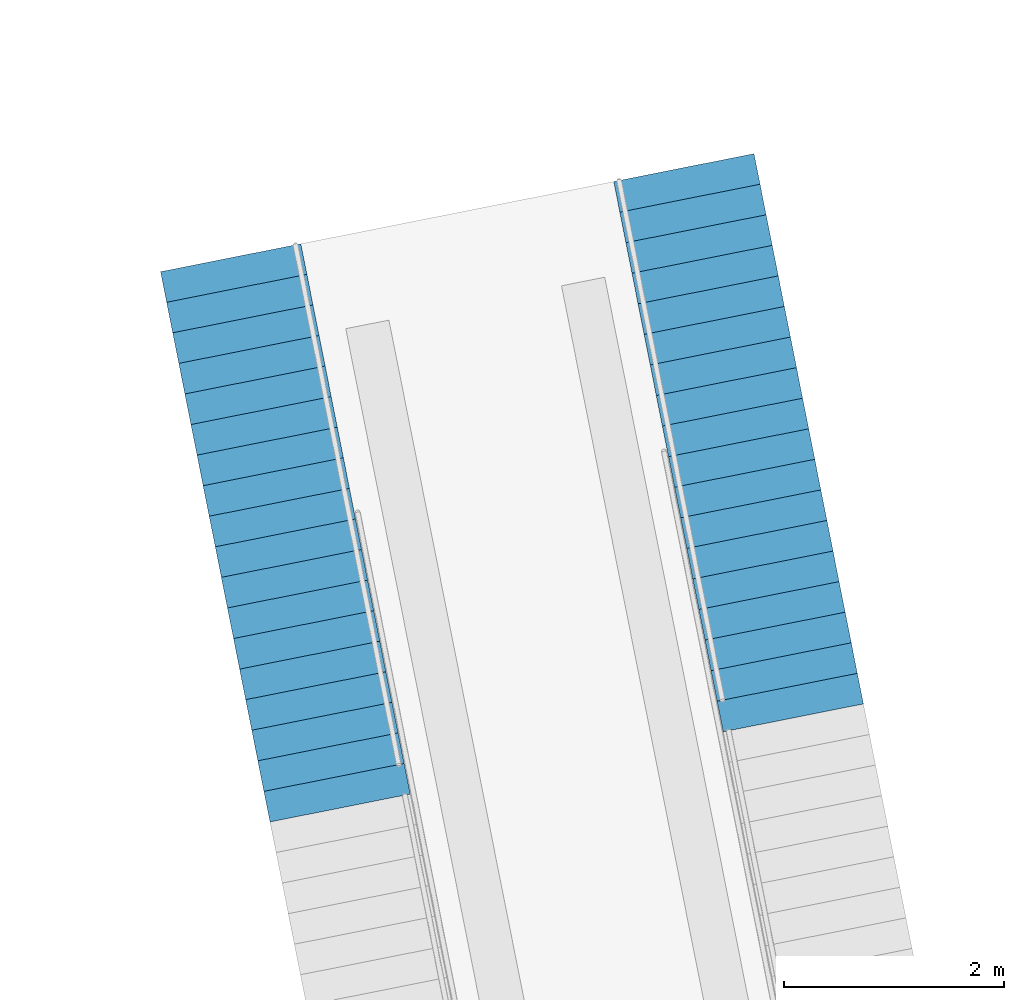
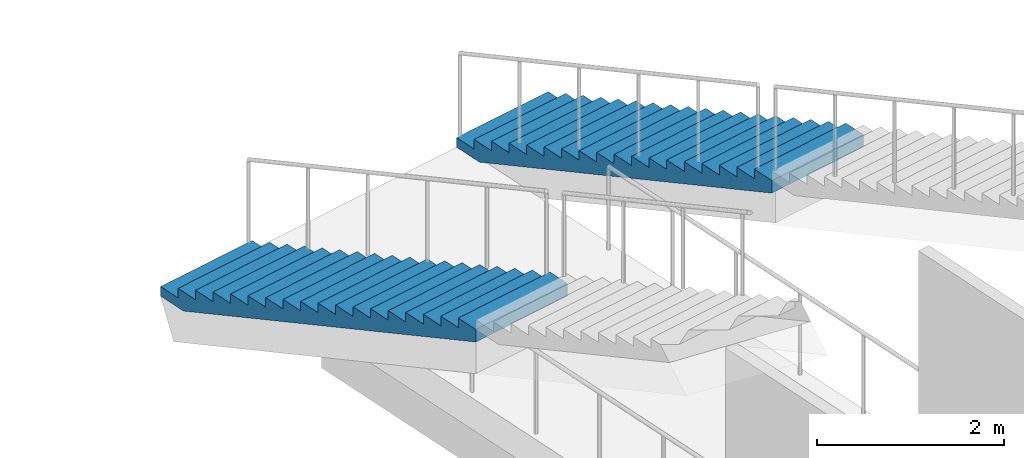
# One storey, part 75 of 175: 2 stair flights, 2 elements without a shape of their own.
"""IFC4 building model written with IfcOpenShell, lengths in metres."""

import ifcopenshell
import ifcopenshell.guid

model = None  # the IFC model being written
_history = None  # IfcOwnerHistory: only IFC2X3 demands one
_inside = {}  # id of a spatial element -> (the spatial element, [elements in it])
_under = {}  # id of a project, library or spatial element -> (it, [spatial elements below it])
_declared = {}  # id of a project -> (the project, [libraries it declares])
_typed = {}  # id of a type object -> (the type object, [elements of that type])
_made_of = {}  # id of a material, layer set ... -> (it, [elements and type objects made of it])


def new_model(schema):
    """Start an empty IFC model of exactly this schema.

    Asked for "IFC4X3", IfcOpenShell would pick the latest addendum, in which some entities
    have other attributes; the version numbers below select the first issue.
    IFC2X3 requires an IfcOwnerHistory on every rooted entity: one is made here for all.
    """
    global model, _history
    if schema == "IFC4X3":
        model = ifcopenshell.file(schema_version=(4, 3, 0, 0))
    else:
        model = ifcopenshell.file(schema=schema)
    _inside.clear()
    _under.clear()
    _declared.clear()
    _typed.clear()
    _made_of.clear()
    _history = None
    if model.schema == "IFC2X3":
        org = make("IfcOrganization", Name="unknown")
        user = make(
            "IfcPersonAndOrganization",
            ThePerson=make("IfcPerson", FamilyName="unknown"),
            TheOrganization=org,
        )
        app = make(
            "IfcApplication",
            ApplicationDeveloper=org,
            Version="unknown",
            ApplicationFullName="unknown",
            ApplicationIdentifier="unknown",
        )
        _history = make(
            "IfcOwnerHistory",
            OwningUser=user,
            OwningApplication=app,
            ChangeAction="ADDED",
            CreationDate=0,
        )
    return model


def make(cls, **values):
    """One entity of the class cls with the attributes given. An attribute that is None is left unset."""
    return model.create_entity(
        cls, **{name: value for name, value in values.items() if value is not None}
    )


def rooted(cls, **values):
    """An entity with a GlobalId (a new one), such as an element, a storey or a relation."""
    return make(cls, GlobalId=ifcopenshell.guid.new(), OwnerHistory=_history, **values)


def si_unit(unit_type, name, prefix=None):
    """IfcSIUnit, for example si_unit("LENGTHUNIT", "METRE", prefix="MILLI")."""
    return make("IfcSIUnit", UnitType=unit_type, Prefix=prefix, Name=name)


def assignment(units):
    """IfcUnitAssignment: the units of a project."""
    return None if units is None else make("IfcUnitAssignment", Units=units)


def point(xyz):
    """IfcCartesianPoint."""
    return None if xyz is None else make("IfcCartesianPoint", Coordinates=xyz)


def direction(xyz):
    """IfcDirection."""
    return None if xyz is None else make("IfcDirection", DirectionRatios=xyz)


def frame(location, z_axis=None, x_axis=None):
    """IfcAxis2Placement3D, a coordinate frame: its origin and axes. An axis left out is left unset."""
    return make(
        "IfcAxis2Placement3D",
        Location=point(location),
        Axis=direction(z_axis),
        RefDirection=direction(x_axis),
    )


def origin():
    """The frame at (0, 0, 0) with its axes left unset."""
    return frame((0.0, 0.0, 0.0))


def place(relative_to, where):
    """IfcLocalPlacement: puts the frame where relative to a parent placement (None: the world)."""
    return make(
        "IfcLocalPlacement", PlacementRelTo=relative_to, RelativePlacement=where
    )


def context(
    kind, dimensions, precision=None, world=None, true_north=None, identifier=None
):
    """IfcGeometricRepresentationContext, for example the 3D "Model" context."""
    return make(
        "IfcGeometricRepresentationContext",
        ContextIdentifier=identifier,
        ContextType=kind,
        CoordinateSpaceDimension=dimensions,
        Precision=precision,
        WorldCoordinateSystem=world,
        TrueNorth=true_north,
    )


def subcontext(parent, identifier, kind, view, scale=None):
    """IfcGeometricRepresentationSubContext, for example "Body" below "Model"."""
    return make(
        "IfcGeometricRepresentationSubContext",
        ContextIdentifier=identifier,
        ContextType=kind,
        ParentContext=parent,
        TargetScale=scale,
        TargetView=view,
    )


def project(units=None, contexts=None):
    """IfcProject with its units and contexts."""
    return rooted(
        "IfcProject",
        Name="project",
        RepresentationContexts=contexts,
        UnitsInContext=assignment(units),
    )


def spatial(cls, under=None, at=None, **own):
    """A site, building, storey or space (cls), placed at a placement, below another one or the project."""
    s = rooted(cls, ObjectPlacement=at, **own)
    if under is not None:
        _under.setdefault(under.id(), (under, []))[1].append(s)
    return s


def faces_of(points, faces, orient=None, outer=None):
    """IfcFace entities. A face is a list of loops; a loop is a list of indices into points, from 0.

    orient and outer hold one flag for each loop. By default every Orientation is true, the
    first loop of a face is its IfcFaceOuterBound and the others are IfcFaceBound.
    """
    made = []
    for i, loops in enumerate(faces):
        bounds = []
        for j, loop in enumerate(loops):
            is_outer = j == 0 if outer is None else outer[i][j]
            bounds.append(
                make(
                    "IfcFaceOuterBound" if is_outer else "IfcFaceBound",
                    Bound=make("IfcPolyLoop", Polygon=[points[k] for k in loop]),
                    Orientation=True if orient is None else orient[i][j],
                )
            )
        made.append(make("IfcFace", Bounds=bounds))
    return made


def faceted_brep(points, faces, orient=None, outer=None, voids=None):
    """IfcFacetedBrep: a solid bounded by flat faces; with voids (closed shells), ...WithVoids."""
    shared = [point(p) for p in points]
    hull = make("IfcClosedShell", CfsFaces=faces_of(shared, faces, orient, outer))
    if voids is None:
        return make("IfcFacetedBrep", Outer=hull)
    return make(
        "IfcFacetedBrepWithVoids",
        Outer=hull,
        Voids=[
            make(cls, CfsFaces=faces_of(shared, fs, o, b)) for cls, fs, o, b in voids
        ],
    )


def shape(context_of_items, identifier, shape_type, items):
    """IfcShapeRepresentation: the items that make up one representation, for example the "Body"."""
    return make(
        "IfcShapeRepresentation",
        ContextOfItems=context_of_items,
        RepresentationIdentifier=identifier,
        RepresentationType=shape_type,
        Items=items,
    )


def material(Name=None, Category=None):
    """IfcMaterial."""
    return make("IfcMaterial", Name=Name, Category=Category)


def made_of(thing, what):
    """Note that an element or type object is made of a material, layer set ...; save() writes the relation."""
    if what is not None:
        _made_of.setdefault(what.id(), (what, []))[1].append(thing)
    return thing


def type_object(cls, material=None, **own):
    """A type object (cls), such as IfcWallType, which elements share."""
    return made_of(rooted(cls, **own), material)


def element(
    cls,
    number,
    at=None,
    inside=None,
    cuts=None,
    type_object=None,
    material=None,
    context=None,
    identifier="Body",
    shape_type=None,
    held_by="IfcProductDefinitionShape",
    body=None,
    shapes=None,
    **own,
):
    """One element of the class cls, such as IfcWall. Its Tag is "e" and its number.

    at: its placement. inside: the storey or other place that contains it. cuts: it is an
    opening in that element (IfcRelVoidsElement). A single representation is given by context,
    identifier, shape_type and body (its items); several are given by shapes. held_by: the class
    of the entity that holds the representations. save() writes the other relations.
    """
    e = rooted(cls, Tag="e%d" % number, ObjectPlacement=at, **own)
    if body is not None:
        shapes = [shape(context, identifier, shape_type, body)]
    if shapes is not None:
        e.Representation = make(held_by, Representations=shapes)
    if inside is not None:
        _inside.setdefault(inside.id(), (inside, []))[1].append(e)
    if cuts is not None:
        rooted(
            "IfcRelVoidsElement", RelatingBuildingElement=cuts, RelatedOpeningElement=e
        )
    if type_object is not None:
        _typed.setdefault(type_object.id(), (type_object, []))[1].append(e)
    return made_of(e, material)


def aggregate(whole, parts):
    """IfcRelAggregates: a whole, such as a stair, and the parts it consists of."""
    return rooted("IfcRelAggregates", RelatingObject=whole, RelatedObjects=parts)


def save(model, path):
    """Write the relations noted so far, then the file.

    IfcRelAggregates (storeys below a building ...), IfcRelContainedInSpatialStructure (elements
    in a storey), IfcRelDefinesByType, IfcRelAssociatesMaterial and IfcRelDeclares: one each for
    every whole, place, type object, material and project.
    """
    for whole, parts in _under.values():
        aggregate(whole, parts)
    for where, things in _inside.values():
        rooted(
            "IfcRelContainedInSpatialStructure",
            RelatedElements=things,
            RelatingStructure=where,
        )
    for kind, things in _typed.values():
        rooted("IfcRelDefinesByType", RelatedObjects=things, RelatingType=kind)
    for what, things in _made_of.values():
        rooted("IfcRelAssociatesMaterial", RelatedObjects=things, RelatingMaterial=what)
    for by, libraries in _declared.values():
        rooted("IfcRelDeclares", RelatingContext=by, RelatedDefinitions=libraries)
    model.write(path)


model = new_model("IFC4")

# Units and contexts
model_context = context("Model", 3, precision=1e-05, world=origin(), true_north=direction((0.0, 1.0)))
body_context = subcontext(model_context, "Body", "Model", "MODEL_VIEW")
ifc_project = project(units=[si_unit("LENGTHUNIT", "METRE"), si_unit("AREAUNIT", "SQUARE_METRE"), si_unit("VOLUMEUNIT", "CUBIC_METRE"), si_unit("PLANEANGLEUNIT", "RADIAN"), si_unit("MASSUNIT", "GRAM", prefix="KILO")], contexts=[model_context])

# Site, building, storey
site_placement = place(None, origin())
site = spatial("IfcSite", under=ifc_project, at=site_placement, CompositionType="ELEMENT")
building_placement = place(site_placement, origin())
building = spatial("IfcBuilding", under=site, at=building_placement, Name="Ogive Plaza Stadium", CompositionType="ELEMENT")
storey_placement = place(building_placement, origin())
storey = spatial("IfcBuildingStorey", under=building, at=storey_placement, Name="L00", CompositionType="ELEMENT", Elevation=0.0)

# Stair, stair flight
ifc_material_1 = material(Name="Concrete C40/50", Category="concrete")
stair_type = type_object("IfcStairType", Name="Aisle stair", PredefinedType="STRAIGHT_RUN_STAIR", material=ifc_material_1)
stair_1_placement = place(storey_placement, origin())
stair_1 = element("IfcStair", 1, at=stair_1_placement, inside=storey, type_object=stair_type, Name="Aisle stair SA11L", PredefinedType="STRAIGHT_RUN_STAIR")
ifc_material_2 = material(Name="Concrete C40/50", Category="concrete")
stair_flight_type = type_object("IfcStairFlightType", Name="Aisle stair flight", PredefinedType="STRAIGHT", material=ifc_material_2)
stair_flight_1_placement = place(storey_placement, frame((34.89599609375, -67.7685546875, 0.0), z_axis=(0.0, 0.0, 1.0), x_axis=(0.195090322016, -0.980785280403, 0.0)))
stair_flight_1 = element("IfcStairFlight", 2, at=stair_flight_1_placement, type_object=stair_flight_type, Name="SA11L flight 1", NumberOfRisers=18, NumberOfTreads=17, PredefinedType="STRAIGHT", RiserHeight=0.125, TreadLength=0.283333333, context=body_context, shape_type="Brep", body=[
    faceted_brep([(0.371337890625, -0.64990234375, 0.0), (5.10009765625, -0.64990234375, 2.086181640625), (5.10009765625, -0.64990234375, 2.25), (4.816650390625, -0.64990234375, 2.25), (4.816650390625, -0.64990234375, 2.125), (4.533447265625, -0.64990234375, 2.125), (4.533447265625, -0.64990234375, 2.0), (4.25, -0.64990234375, 2.0), (4.25, -0.64990234375, 1.875), (3.966552734375, -0.64990234375, 1.875), (3.966552734375, -0.64990234375, 1.75), (3.683349609375, -0.64990234375, 1.75), (3.683349609375, -0.64990234375, 1.625), (3.39990234375, -0.64990234375, 1.625), (3.39990234375, -0.64990234375, 1.5), (3.11669921875, -0.64990234375, 1.5), (3.11669921875, -0.64990234375, 1.375), (2.833251953125, -0.64990234375, 1.375), (2.833251953125, -0.64990234375, 1.25), (2.550048828125, -0.64990234375, 1.25), (2.550048828125, -0.64990234375, 1.125), (2.2666015625, -0.64990234375, 1.125), (2.2666015625, -0.64990234375, 1.0), (1.9833984375, -0.64990234375, 1.0), (1.9833984375, -0.64990234375, 0.875), (1.699951171875, -0.64990234375, 0.875), (1.699951171875, -0.64990234375, 0.75), (1.416748046875, -0.64990234375, 0.75), (1.416748046875, -0.64990234375, 0.625), (1.13330078125, -0.64990234375, 0.625), (1.13330078125, -0.64990234375, 0.5), (0.85009765625, -0.64990234375, 0.5), (0.85009765625, -0.64990234375, 0.375), (0.566650390625, -0.64990234375, 0.375), (0.566650390625, -0.64990234375, 0.25), (0.283447265625, -0.64990234375, 0.25), (0.283447265625, -0.64990234375, 0.125), (0.0, -0.64990234375, 0.125), (0.0, -0.64990234375, 0.0), (0.0, 0.64990234375, 0.0), (0.0, 0.64990234375, 0.125), (0.283447265625, 0.64990234375, 0.125), (0.283447265625, 0.64990234375, 0.25), (0.566650390625, 0.64990234375, 0.25), (0.566650390625, 0.64990234375, 0.375), (0.85009765625, 0.64990234375, 0.375), (0.85009765625, 0.64990234375, 0.5), (1.13330078125, 0.64990234375, 0.5), (1.13330078125, 0.64990234375, 0.625), (1.416748046875, 0.64990234375, 0.625), (1.416748046875, 0.64990234375, 0.75), (1.699951171875, 0.64990234375, 0.75), (1.699951171875, 0.64990234375, 0.875), (1.9833984375, 0.64990234375, 0.875), (1.9833984375, 0.64990234375, 1.0), (2.2666015625, 0.64990234375, 1.0), (2.2666015625, 0.64990234375, 1.125), (2.550048828125, 0.64990234375, 1.125), (2.550048828125, 0.64990234375, 1.25), (2.833251953125, 0.64990234375, 1.25), (2.833251953125, 0.64990234375, 1.375), (3.11669921875, 0.64990234375, 1.375), (3.11669921875, 0.64990234375, 1.5), (3.39990234375, 0.64990234375, 1.5), (3.39990234375, 0.64990234375, 1.625), (3.683349609375, 0.64990234375, 1.625), (3.683349609375, 0.64990234375, 1.75), (3.966552734375, 0.64990234375, 1.75), (3.966552734375, 0.64990234375, 1.875), (4.25, 0.64990234375, 1.875), (4.25, 0.64990234375, 2.0), (4.533447265625, 0.64990234375, 2.0), (4.533447265625, 0.64990234375, 2.125), (4.816650390625, 0.64990234375, 2.125), (4.816650390625, 0.64990234375, 2.25), (5.10009765625, 0.64990234375, 2.25), (5.10009765625, 0.64990234375, 2.086181640625), (0.371337890625, 0.64990234375, 0.0), (0.371337890625, -0.324951171875, 0.0), (5.10009765625, -0.324951171875, 2.086181640625), (0.371337890625, 0.0, 0.0), (5.10009765625, 0.0, 2.086181640625), (0.371337890625, 0.324951171875, 0.0), (5.10009765625, 0.324951171875, 2.086181640625), (5.10009765625, -0.324951171875, 2.25), (5.10009765625, 0.0, 2.25), (5.10009765625, 0.324951171875, 2.25), (4.816650390625, -0.324951171875, 2.25), (4.816650390625, 0.0, 2.25), (4.816650390625, 0.324951171875, 2.25), (4.816650390625, -0.324951171875, 2.125), (4.816650390625, 0.0, 2.125), (4.816650390625, 0.324951171875, 2.125), (4.533447265625, -0.324951171875, 2.125), (4.533447265625, 0.0, 2.125), (4.533447265625, 0.324951171875, 2.125), (4.533447265625, -0.324951171875, 2.0), (4.533447265625, 0.0, 2.0), (4.533447265625, 0.324951171875, 2.0), (4.25, -0.324951171875, 2.0), (4.25, 0.0, 2.0), (4.25, 0.324951171875, 2.0), (4.25, -0.324951171875, 1.875), (4.25, 0.0, 1.875), (4.25, 0.324951171875, 1.875), (3.966552734375, -0.324951171875, 1.875), (3.966552734375, 0.0, 1.875), (3.966552734375, 0.324951171875, 1.875), (3.966552734375, -0.324951171875, 1.75), (3.966552734375, 0.0, 1.75), (3.966552734375, 0.324951171875, 1.75), (3.683349609375, -0.324951171875, 1.75), (3.683349609375, 0.0, 1.75), (3.683349609375, 0.324951171875, 1.75), (3.683349609375, -0.324951171875, 1.625), (3.683349609375, 0.0, 1.625), (3.683349609375, 0.324951171875, 1.625), (3.39990234375, -0.324951171875, 1.625), (3.39990234375, 0.0, 1.625), (3.39990234375, 0.324951171875, 1.625), (3.39990234375, -0.324951171875, 1.5), (3.39990234375, 0.0, 1.5), (3.39990234375, 0.324951171875, 1.5), (3.11669921875, -0.324951171875, 1.5), (3.11669921875, 0.0, 1.5), (3.11669921875, 0.324951171875, 1.5), (3.11669921875, -0.324951171875, 1.375), (3.11669921875, 0.0, 1.375), (3.11669921875, 0.324951171875, 1.375), (2.833251953125, -0.324951171875, 1.375), (2.833251953125, 0.0, 1.375), (2.833251953125, 0.324951171875, 1.375), (2.833251953125, -0.324951171875, 1.25), (2.833251953125, 0.0, 1.25), (2.833251953125, 0.324951171875, 1.25), (2.550048828125, -0.324951171875, 1.25), (2.550048828125, 0.0, 1.25), (2.550048828125, 0.324951171875, 1.25), (2.550048828125, -0.324951171875, 1.125), (2.550048828125, 0.0, 1.125), (2.550048828125, 0.324951171875, 1.125), (2.2666015625, -0.324951171875, 1.125), (2.2666015625, 0.0, 1.125), (2.2666015625, 0.324951171875, 1.125), (2.2666015625, -0.324951171875, 1.0), (2.2666015625, 0.0, 1.0), (2.2666015625, 0.324951171875, 1.0), (1.9833984375, -0.324951171875, 1.0), (1.9833984375, 0.0, 1.0), (1.9833984375, 0.324951171875, 1.0), (1.9833984375, -0.324951171875, 0.875), (1.9833984375, 0.0, 0.875), (1.9833984375, 0.324951171875, 0.875), (1.699951171875, -0.324951171875, 0.875), (1.699951171875, 0.0, 0.875), (1.699951171875, 0.324951171875, 0.875), (1.699951171875, -0.324951171875, 0.75), (1.699951171875, 0.0, 0.75), (1.699951171875, 0.324951171875, 0.75), (1.416748046875, -0.324951171875, 0.75), (1.416748046875, 0.0, 0.75), (1.416748046875, 0.324951171875, 0.75), (1.416748046875, -0.324951171875, 0.625), (1.416748046875, 0.0, 0.625), (1.416748046875, 0.324951171875, 0.625), (1.13330078125, -0.324951171875, 0.625), (1.13330078125, 0.0, 0.625), (1.13330078125, 0.324951171875, 0.625), (1.13330078125, -0.324951171875, 0.5), (1.13330078125, 0.0, 0.5), (1.13330078125, 0.324951171875, 0.5), (0.85009765625, -0.324951171875, 0.5), (0.85009765625, 0.0, 0.5), (0.85009765625, 0.324951171875, 0.5), (0.85009765625, -0.324951171875, 0.375), (0.85009765625, 0.0, 0.375), (0.85009765625, 0.324951171875, 0.375), (0.566650390625, -0.324951171875, 0.375), (0.566650390625, 0.0, 0.375), (0.566650390625, 0.324951171875, 0.375), (0.566650390625, -0.324951171875, 0.25), (0.566650390625, 0.0, 0.25), (0.566650390625, 0.324951171875, 0.25), (0.283447265625, -0.324951171875, 0.25), (0.283447265625, 0.0, 0.25), (0.283447265625, 0.324951171875, 0.25), (0.283447265625, -0.324951171875, 0.125), (0.283447265625, 0.0, 0.125), (0.283447265625, 0.324951171875, 0.125), (0.0, -0.324951171875, 0.125), (0.0, 0.0, 0.125), (0.0, 0.324951171875, 0.125), (0.0, -0.324951171875, 0.0), (0.0, 0.0, 0.0), (0.0, 0.324951171875, 0.0)], [[[0, 1, 2, 3, 4, 5, 6, 7, 8, 9, 10, 11, 12, 13, 14, 15, 16, 17, 18, 19, 20, 21, 22, 23, 24, 25, 26, 27, 28, 29, 30, 31, 32, 33, 34, 35, 36, 37, 38]], [[39, 40, 41, 42, 43, 44, 45, 46, 47, 48, 49, 50, 51, 52, 53, 54, 55, 56, 57, 58, 59, 60, 61, 62, 63, 64, 65, 66, 67, 68, 69, 70, 71, 72, 73, 74, 75, 76, 77]], [[0, 78, 79, 1]], [[78, 80, 81, 79]], [[80, 82, 83, 81]], [[82, 77, 76, 83]], [[1, 79, 84, 2]], [[79, 81, 85, 84]], [[81, 83, 86, 85]], [[83, 76, 75, 86]], [[2, 84, 87, 3]], [[84, 85, 88, 87]], [[85, 86, 89, 88]], [[86, 75, 74, 89]], [[3, 87, 90, 4]], [[87, 88, 91, 90]], [[88, 89, 92, 91]], [[89, 74, 73, 92]], [[4, 90, 93, 5]], [[90, 91, 94, 93]], [[91, 92, 95, 94]], [[92, 73, 72, 95]], [[5, 93, 96, 6]], [[93, 94, 97, 96]], [[94, 95, 98, 97]], [[95, 72, 71, 98]], [[6, 96, 99, 7]], [[96, 97, 100, 99]], [[97, 98, 101, 100]], [[98, 71, 70, 101]], [[7, 99, 102, 8]], [[99, 100, 103, 102]], [[100, 101, 104, 103]], [[101, 70, 69, 104]], [[8, 102, 105, 9]], [[102, 103, 106, 105]], [[103, 104, 107, 106]], [[104, 69, 68, 107]], [[9, 105, 108, 10]], [[105, 106, 109, 108]], [[106, 107, 110, 109]], [[107, 68, 67, 110]], [[10, 108, 111, 11]], [[108, 109, 112, 111]], [[109, 110, 113, 112]], [[110, 67, 66, 113]], [[11, 111, 114, 12]], [[111, 112, 115, 114]], [[112, 113, 116, 115]], [[113, 66, 65, 116]], [[12, 114, 117, 13]], [[114, 115, 118, 117]], [[115, 116, 119, 118]], [[116, 65, 64, 119]], [[13, 117, 120, 14]], [[117, 118, 121, 120]], [[118, 119, 122, 121]], [[119, 64, 63, 122]], [[14, 120, 123, 15]], [[120, 121, 124, 123]], [[121, 122, 125, 124]], [[122, 63, 62, 125]], [[15, 123, 126, 16]], [[123, 124, 127, 126]], [[124, 125, 128, 127]], [[125, 62, 61, 128]], [[16, 126, 129, 17]], [[126, 127, 130, 129]], [[127, 128, 131, 130]], [[128, 61, 60, 131]], [[17, 129, 132, 18]], [[129, 130, 133, 132]], [[130, 131, 134, 133]], [[131, 60, 59, 134]], [[18, 132, 135, 19]], [[132, 133, 136, 135]], [[133, 134, 137, 136]], [[134, 59, 58, 137]], [[19, 135, 138, 20]], [[135, 136, 139, 138]], [[136, 137, 140, 139]], [[137, 58, 57, 140]], [[20, 138, 141, 21]], [[138, 139, 142, 141]], [[139, 140, 143, 142]], [[140, 57, 56, 143]], [[21, 141, 144, 22]], [[141, 142, 145, 144]], [[142, 143, 146, 145]], [[143, 56, 55, 146]], [[22, 144, 147, 23]], [[144, 145, 148, 147]], [[145, 146, 149, 148]], [[146, 55, 54, 149]], [[23, 147, 150, 24]], [[147, 148, 151, 150]], [[148, 149, 152, 151]], [[149, 54, 53, 152]], [[24, 150, 153, 25]], [[150, 151, 154, 153]], [[151, 152, 155, 154]], [[152, 53, 52, 155]], [[25, 153, 156, 26]], [[153, 154, 157, 156]], [[154, 155, 158, 157]], [[155, 52, 51, 158]], [[26, 156, 159, 27]], [[156, 157, 160, 159]], [[157, 158, 161, 160]], [[158, 51, 50, 161]], [[27, 159, 162, 28]], [[159, 160, 163, 162]], [[160, 161, 164, 163]], [[161, 50, 49, 164]], [[28, 162, 165, 29]], [[162, 163, 166, 165]], [[163, 164, 167, 166]], [[164, 49, 48, 167]], [[29, 165, 168, 30]], [[165, 166, 169, 168]], [[166, 167, 170, 169]], [[167, 48, 47, 170]], [[30, 168, 171, 31]], [[168, 169, 172, 171]], [[169, 170, 173, 172]], [[170, 47, 46, 173]], [[31, 171, 174, 32]], [[171, 172, 175, 174]], [[172, 173, 176, 175]], [[173, 46, 45, 176]], [[32, 174, 177, 33]], [[174, 175, 178, 177]], [[175, 176, 179, 178]], [[176, 45, 44, 179]], [[33, 177, 180, 34]], [[177, 178, 181, 180]], [[178, 179, 182, 181]], [[179, 44, 43, 182]], [[34, 180, 183, 35]], [[180, 181, 184, 183]], [[181, 182, 185, 184]], [[182, 43, 42, 185]], [[35, 183, 186, 36]], [[183, 184, 187, 186]], [[184, 185, 188, 187]], [[185, 42, 41, 188]], [[36, 186, 189, 37]], [[186, 187, 190, 189]], [[187, 188, 191, 190]], [[188, 41, 40, 191]], [[37, 189, 192, 38]], [[189, 190, 193, 192]], [[190, 191, 194, 193]], [[191, 40, 39, 194]], [[38, 192, 78, 0]], [[192, 193, 80, 78]], [[193, 194, 82, 80]], [[194, 39, 77, 82]]]),
])
aggregate(stair_1, [stair_flight_1])

stair_2_placement = place(storey_placement, origin())
stair_2 = element("IfcStair", 3, at=stair_2_placement, inside=storey, type_object=stair_type, Name="Aisle stair SA11R", PredefinedType="STRAIGHT_RUN_STAIR")
stair_flight_2_placement = place(storey_placement, frame((39.015380859375, -66.94921875, 0.0), z_axis=(0.0, 0.0, 1.0), x_axis=(0.195090322016, -0.980785280403, 0.0)))
stair_flight_2 = element("IfcStairFlight", 4, at=stair_flight_2_placement, type_object=stair_flight_type, Name="SA11R flight 1", NumberOfRisers=18, NumberOfTreads=17, PredefinedType="STRAIGHT", RiserHeight=0.125, TreadLength=0.283333333, context=body_context, shape_type="Brep", body=[
    faceted_brep([(0.371337890625, -0.64990234375, 0.0), (5.10009765625, -0.64990234375, 2.086181640625), (5.10009765625, -0.64990234375, 2.25), (4.816650390625, -0.64990234375, 2.25), (4.816650390625, -0.64990234375, 2.125), (4.533447265625, -0.64990234375, 2.125), (4.533447265625, -0.64990234375, 2.0), (4.25, -0.64990234375, 2.0), (4.25, -0.64990234375, 1.875), (3.966552734375, -0.64990234375, 1.875), (3.966552734375, -0.64990234375, 1.75), (3.683349609375, -0.64990234375, 1.75), (3.683349609375, -0.64990234375, 1.625), (3.39990234375, -0.64990234375, 1.625), (3.39990234375, -0.64990234375, 1.5), (3.11669921875, -0.64990234375, 1.5), (3.11669921875, -0.64990234375, 1.375), (2.833251953125, -0.64990234375, 1.375), (2.833251953125, -0.64990234375, 1.25), (2.550048828125, -0.64990234375, 1.25), (2.550048828125, -0.64990234375, 1.125), (2.2666015625, -0.64990234375, 1.125), (2.2666015625, -0.64990234375, 1.0), (1.9833984375, -0.64990234375, 1.0), (1.9833984375, -0.64990234375, 0.875), (1.699951171875, -0.64990234375, 0.875), (1.699951171875, -0.64990234375, 0.75), (1.416748046875, -0.64990234375, 0.75), (1.416748046875, -0.64990234375, 0.625), (1.13330078125, -0.64990234375, 0.625), (1.13330078125, -0.64990234375, 0.5), (0.85009765625, -0.64990234375, 0.5), (0.85009765625, -0.64990234375, 0.375), (0.566650390625, -0.64990234375, 0.375), (0.566650390625, -0.64990234375, 0.25), (0.283447265625, -0.64990234375, 0.25), (0.283447265625, -0.64990234375, 0.125), (0.0, -0.64990234375, 0.125), (0.0, -0.64990234375, 0.0), (0.0, 0.64990234375, 0.0), (0.0, 0.64990234375, 0.125), (0.283447265625, 0.64990234375, 0.125), (0.283447265625, 0.64990234375, 0.25), (0.566650390625, 0.64990234375, 0.25), (0.566650390625, 0.64990234375, 0.375), (0.85009765625, 0.64990234375, 0.375), (0.85009765625, 0.64990234375, 0.5), (1.13330078125, 0.64990234375, 0.5), (1.13330078125, 0.64990234375, 0.625), (1.416748046875, 0.64990234375, 0.625), (1.416748046875, 0.64990234375, 0.75), (1.699951171875, 0.64990234375, 0.75), (1.699951171875, 0.64990234375, 0.875), (1.9833984375, 0.64990234375, 0.875), (1.9833984375, 0.64990234375, 1.0), (2.2666015625, 0.64990234375, 1.0), (2.2666015625, 0.64990234375, 1.125), (2.550048828125, 0.64990234375, 1.125), (2.550048828125, 0.64990234375, 1.25), (2.833251953125, 0.64990234375, 1.25), (2.833251953125, 0.64990234375, 1.375), (3.11669921875, 0.64990234375, 1.375), (3.11669921875, 0.64990234375, 1.5), (3.39990234375, 0.64990234375, 1.5), (3.39990234375, 0.64990234375, 1.625), (3.683349609375, 0.64990234375, 1.625), (3.683349609375, 0.64990234375, 1.75), (3.966552734375, 0.64990234375, 1.75), (3.966552734375, 0.64990234375, 1.875), (4.25, 0.64990234375, 1.875), (4.25, 0.64990234375, 2.0), (4.533447265625, 0.64990234375, 2.0), (4.533447265625, 0.64990234375, 2.125), (4.816650390625, 0.64990234375, 2.125), (4.816650390625, 0.64990234375, 2.25), (5.10009765625, 0.64990234375, 2.25), (5.10009765625, 0.64990234375, 2.086181640625), (0.371337890625, 0.64990234375, 0.0), (0.371337890625, -0.324951171875, 0.0), (5.10009765625, -0.324951171875, 2.086181640625), (0.371337890625, 0.0, 0.0), (5.10009765625, 0.0, 2.086181640625), (0.371337890625, 0.324951171875, 0.0), (5.10009765625, 0.324951171875, 2.086181640625), (5.10009765625, -0.324951171875, 2.25), (5.10009765625, 0.0, 2.25), (5.10009765625, 0.324951171875, 2.25), (4.816650390625, -0.324951171875, 2.25), (4.816650390625, 0.0, 2.25), (4.816650390625, 0.324951171875, 2.25), (4.816650390625, -0.324951171875, 2.125), (4.816650390625, 0.0, 2.125), (4.816650390625, 0.324951171875, 2.125), (4.533447265625, -0.324951171875, 2.125), (4.533447265625, 0.0, 2.125), (4.533447265625, 0.324951171875, 2.125), (4.533447265625, -0.324951171875, 2.0), (4.533447265625, 0.0, 2.0), (4.533447265625, 0.324951171875, 2.0), (4.25, -0.324951171875, 2.0), (4.25, 0.0, 2.0), (4.25, 0.324951171875, 2.0), (4.25, -0.324951171875, 1.875), (4.25, 0.0, 1.875), (4.25, 0.324951171875, 1.875), (3.966552734375, -0.324951171875, 1.875), (3.966552734375, 0.0, 1.875), (3.966552734375, 0.324951171875, 1.875), (3.966552734375, -0.324951171875, 1.75), (3.966552734375, 0.0, 1.75), (3.966552734375, 0.324951171875, 1.75), (3.683349609375, -0.324951171875, 1.75), (3.683349609375, 0.0, 1.75), (3.683349609375, 0.324951171875, 1.75), (3.683349609375, -0.324951171875, 1.625), (3.683349609375, 0.0, 1.625), (3.683349609375, 0.324951171875, 1.625), (3.39990234375, -0.324951171875, 1.625), (3.39990234375, 0.0, 1.625), (3.39990234375, 0.324951171875, 1.625), (3.39990234375, -0.324951171875, 1.5), (3.39990234375, 0.0, 1.5), (3.39990234375, 0.324951171875, 1.5), (3.11669921875, -0.324951171875, 1.5), (3.11669921875, 0.0, 1.5), (3.11669921875, 0.324951171875, 1.5), (3.11669921875, -0.324951171875, 1.375), (3.11669921875, 0.0, 1.375), (3.11669921875, 0.324951171875, 1.375), (2.833251953125, -0.324951171875, 1.375), (2.833251953125, 0.0, 1.375), (2.833251953125, 0.324951171875, 1.375), (2.833251953125, -0.324951171875, 1.25), (2.833251953125, 0.0, 1.25), (2.833251953125, 0.324951171875, 1.25), (2.550048828125, -0.324951171875, 1.25), (2.550048828125, 0.0, 1.25), (2.550048828125, 0.324951171875, 1.25), (2.550048828125, -0.324951171875, 1.125), (2.550048828125, 0.0, 1.125), (2.550048828125, 0.324951171875, 1.125), (2.2666015625, -0.324951171875, 1.125), (2.2666015625, 0.0, 1.125), (2.2666015625, 0.324951171875, 1.125), (2.2666015625, -0.324951171875, 1.0), (2.2666015625, 0.0, 1.0), (2.2666015625, 0.324951171875, 1.0), (1.9833984375, -0.324951171875, 1.0), (1.9833984375, 0.0, 1.0), (1.9833984375, 0.324951171875, 1.0), (1.9833984375, -0.324951171875, 0.875), (1.9833984375, 0.0, 0.875), (1.9833984375, 0.324951171875, 0.875), (1.699951171875, -0.324951171875, 0.875), (1.699951171875, 0.0, 0.875), (1.699951171875, 0.324951171875, 0.875), (1.699951171875, -0.324951171875, 0.75), (1.699951171875, 0.0, 0.75), (1.699951171875, 0.324951171875, 0.75), (1.416748046875, -0.324951171875, 0.75), (1.416748046875, 0.0, 0.75), (1.416748046875, 0.324951171875, 0.75), (1.416748046875, -0.324951171875, 0.625), (1.416748046875, 0.0, 0.625), (1.416748046875, 0.324951171875, 0.625), (1.13330078125, -0.324951171875, 0.625), (1.13330078125, 0.0, 0.625), (1.13330078125, 0.324951171875, 0.625), (1.13330078125, -0.324951171875, 0.5), (1.13330078125, 0.0, 0.5), (1.13330078125, 0.324951171875, 0.5), (0.85009765625, -0.324951171875, 0.5), (0.85009765625, 0.0, 0.5), (0.85009765625, 0.324951171875, 0.5), (0.85009765625, -0.324951171875, 0.375), (0.85009765625, 0.0, 0.375), (0.85009765625, 0.324951171875, 0.375), (0.566650390625, -0.324951171875, 0.375), (0.566650390625, 0.0, 0.375), (0.566650390625, 0.324951171875, 0.375), (0.566650390625, -0.324951171875, 0.25), (0.566650390625, 0.0, 0.25), (0.566650390625, 0.324951171875, 0.25), (0.283447265625, -0.324951171875, 0.25), (0.283447265625, 0.0, 0.25), (0.283447265625, 0.324951171875, 0.25), (0.283447265625, -0.324951171875, 0.125), (0.283447265625, 0.0, 0.125), (0.283447265625, 0.324951171875, 0.125), (0.0, -0.324951171875, 0.125), (0.0, 0.0, 0.125), (0.0, 0.324951171875, 0.125), (0.0, -0.324951171875, 0.0), (0.0, 0.0, 0.0), (0.0, 0.324951171875, 0.0)], [[[0, 1, 2, 3, 4, 5, 6, 7, 8, 9, 10, 11, 12, 13, 14, 15, 16, 17, 18, 19, 20, 21, 22, 23, 24, 25, 26, 27, 28, 29, 30, 31, 32, 33, 34, 35, 36, 37, 38]], [[39, 40, 41, 42, 43, 44, 45, 46, 47, 48, 49, 50, 51, 52, 53, 54, 55, 56, 57, 58, 59, 60, 61, 62, 63, 64, 65, 66, 67, 68, 69, 70, 71, 72, 73, 74, 75, 76, 77]], [[0, 78, 79, 1]], [[78, 80, 81, 79]], [[80, 82, 83, 81]], [[82, 77, 76, 83]], [[1, 79, 84, 2]], [[79, 81, 85, 84]], [[81, 83, 86, 85]], [[83, 76, 75, 86]], [[2, 84, 87, 3]], [[84, 85, 88, 87]], [[85, 86, 89, 88]], [[86, 75, 74, 89]], [[3, 87, 90, 4]], [[87, 88, 91, 90]], [[88, 89, 92, 91]], [[89, 74, 73, 92]], [[4, 90, 93, 5]], [[90, 91, 94, 93]], [[91, 92, 95, 94]], [[92, 73, 72, 95]], [[5, 93, 96, 6]], [[93, 94, 97, 96]], [[94, 95, 98, 97]], [[95, 72, 71, 98]], [[6, 96, 99, 7]], [[96, 97, 100, 99]], [[97, 98, 101, 100]], [[98, 71, 70, 101]], [[7, 99, 102, 8]], [[99, 100, 103, 102]], [[100, 101, 104, 103]], [[101, 70, 69, 104]], [[8, 102, 105, 9]], [[102, 103, 106, 105]], [[103, 104, 107, 106]], [[104, 69, 68, 107]], [[9, 105, 108, 10]], [[105, 106, 109, 108]], [[106, 107, 110, 109]], [[107, 68, 67, 110]], [[10, 108, 111, 11]], [[108, 109, 112, 111]], [[109, 110, 113, 112]], [[110, 67, 66, 113]], [[11, 111, 114, 12]], [[111, 112, 115, 114]], [[112, 113, 116, 115]], [[113, 66, 65, 116]], [[12, 114, 117, 13]], [[114, 115, 118, 117]], [[115, 116, 119, 118]], [[116, 65, 64, 119]], [[13, 117, 120, 14]], [[117, 118, 121, 120]], [[118, 119, 122, 121]], [[119, 64, 63, 122]], [[14, 120, 123, 15]], [[120, 121, 124, 123]], [[121, 122, 125, 124]], [[122, 63, 62, 125]], [[15, 123, 126, 16]], [[123, 124, 127, 126]], [[124, 125, 128, 127]], [[125, 62, 61, 128]], [[16, 126, 129, 17]], [[126, 127, 130, 129]], [[127, 128, 131, 130]], [[128, 61, 60, 131]], [[17, 129, 132, 18]], [[129, 130, 133, 132]], [[130, 131, 134, 133]], [[131, 60, 59, 134]], [[18, 132, 135, 19]], [[132, 133, 136, 135]], [[133, 134, 137, 136]], [[134, 59, 58, 137]], [[19, 135, 138, 20]], [[135, 136, 139, 138]], [[136, 137, 140, 139]], [[137, 58, 57, 140]], [[20, 138, 141, 21]], [[138, 139, 142, 141]], [[139, 140, 143, 142]], [[140, 57, 56, 143]], [[21, 141, 144, 22]], [[141, 142, 145, 144]], [[142, 143, 146, 145]], [[143, 56, 55, 146]], [[22, 144, 147, 23]], [[144, 145, 148, 147]], [[145, 146, 149, 148]], [[146, 55, 54, 149]], [[23, 147, 150, 24]], [[147, 148, 151, 150]], [[148, 149, 152, 151]], [[149, 54, 53, 152]], [[24, 150, 153, 25]], [[150, 151, 154, 153]], [[151, 152, 155, 154]], [[152, 53, 52, 155]], [[25, 153, 156, 26]], [[153, 154, 157, 156]], [[154, 155, 158, 157]], [[155, 52, 51, 158]], [[26, 156, 159, 27]], [[156, 157, 160, 159]], [[157, 158, 161, 160]], [[158, 51, 50, 161]], [[27, 159, 162, 28]], [[159, 160, 163, 162]], [[160, 161, 164, 163]], [[161, 50, 49, 164]], [[28, 162, 165, 29]], [[162, 163, 166, 165]], [[163, 164, 167, 166]], [[164, 49, 48, 167]], [[29, 165, 168, 30]], [[165, 166, 169, 168]], [[166, 167, 170, 169]], [[167, 48, 47, 170]], [[30, 168, 171, 31]], [[168, 169, 172, 171]], [[169, 170, 173, 172]], [[170, 47, 46, 173]], [[31, 171, 174, 32]], [[171, 172, 175, 174]], [[172, 173, 176, 175]], [[173, 46, 45, 176]], [[32, 174, 177, 33]], [[174, 175, 178, 177]], [[175, 176, 179, 178]], [[176, 45, 44, 179]], [[33, 177, 180, 34]], [[177, 178, 181, 180]], [[178, 179, 182, 181]], [[179, 44, 43, 182]], [[34, 180, 183, 35]], [[180, 181, 184, 183]], [[181, 182, 185, 184]], [[182, 43, 42, 185]], [[35, 183, 186, 36]], [[183, 184, 187, 186]], [[184, 185, 188, 187]], [[185, 42, 41, 188]], [[36, 186, 189, 37]], [[186, 187, 190, 189]], [[187, 188, 191, 190]], [[188, 41, 40, 191]], [[37, 189, 192, 38]], [[189, 190, 193, 192]], [[190, 191, 194, 193]], [[191, 40, 39, 194]], [[38, 192, 78, 0]], [[192, 193, 80, 78]], [[193, 194, 82, 80]], [[194, 39, 77, 82]]]),
])
aggregate(stair_2, [stair_flight_2])

save(model, "model.ifc")
